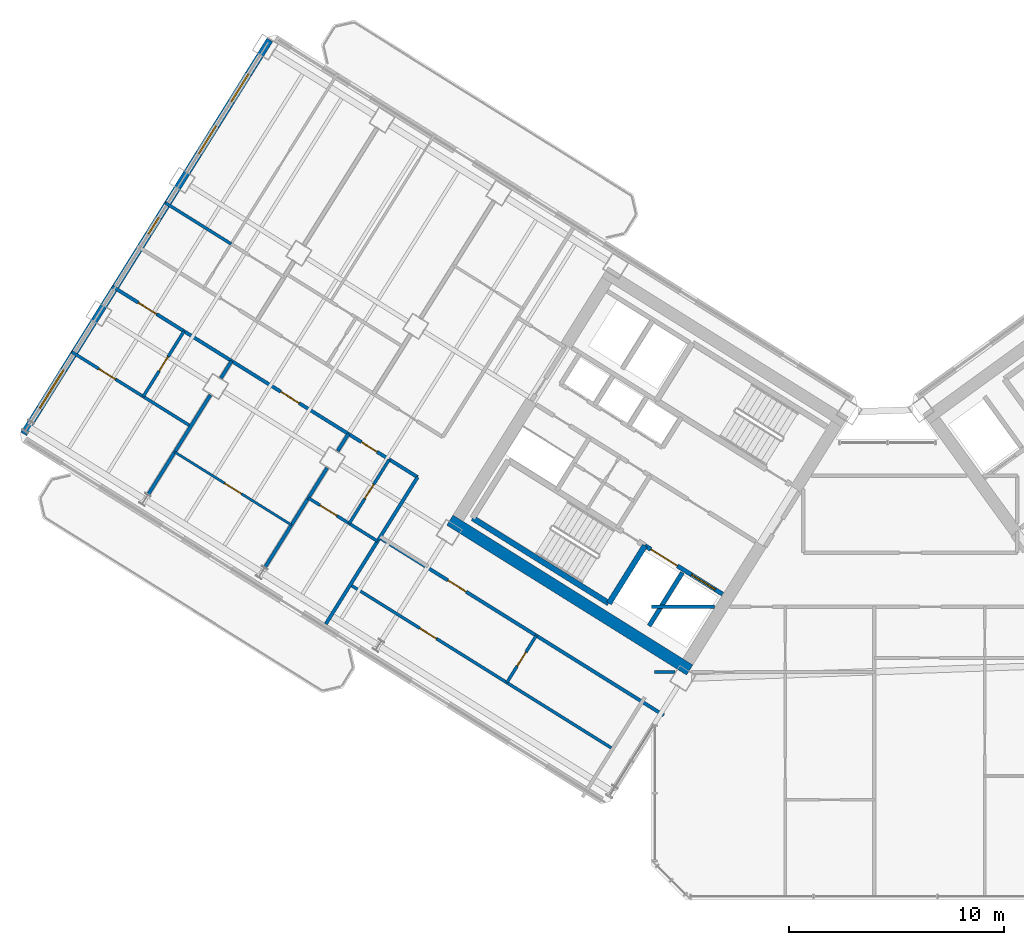
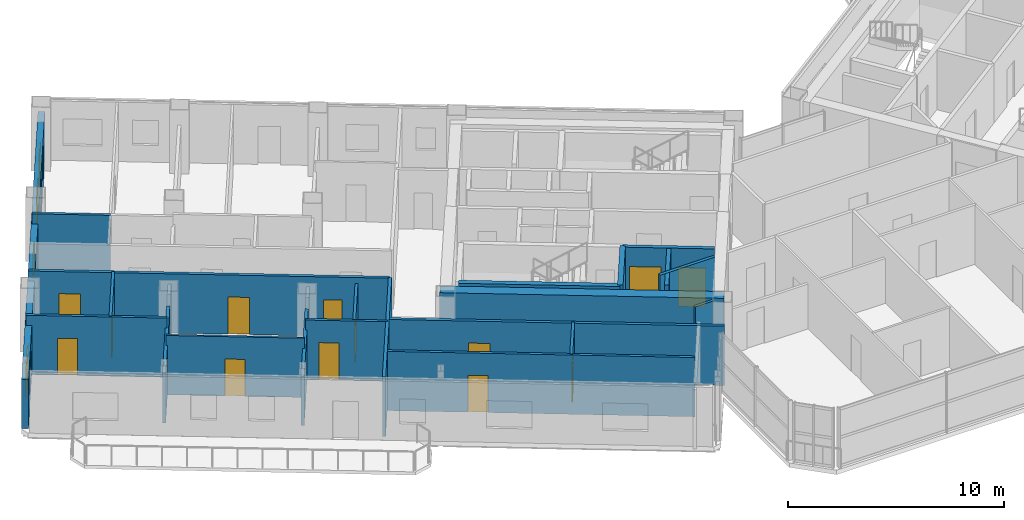
# One storey, part 16 of 29: 23 walls, 13 doors, 4 windows, 17 openings.
"""IFC4 building model written with IfcOpenShell, lengths in metres."""

from ifc_helpers import new_model, si_unit, direction, frame, frame_2d, origin, place, context, subcontext, project, spatial, rectangle, extrude, source, transform, mapped, material, layer, layer_set, type_object, element, fill, save


model = new_model("IFC4")

# Units and contexts
model_context = context("Model", 3, precision=1e-05, world=origin(), true_north=direction((0.0, 1.0)))
body_context = subcontext(model_context, "Body", "Model", "MODEL_VIEW")
ifc_project = project(units=[si_unit("LENGTHUNIT", "METRE"), si_unit("AREAUNIT", "SQUARE_METRE"), si_unit("VOLUMEUNIT", "CUBIC_METRE"), si_unit("PLANEANGLEUNIT", "RADIAN"), si_unit("MASSUNIT", "GRAM", prefix="KILO")], contexts=[model_context])

# Site, building, storey
site_placement = place(None, origin())
site = spatial("IfcSite", under=ifc_project, at=site_placement, CompositionType="ELEMENT")
building_placement = place(site_placement, origin())
building = spatial("IfcBuilding", under=site, at=building_placement, Name="Tlacorven Tower", CompositionType="ELEMENT")
storey_placement = place(building_placement, frame((0.0, 0.0, 158.699951171875)))
storey = spatial("IfcBuildingStorey", under=building, at=storey_placement, Name="L40", CompositionType="ELEMENT", Elevation=158.699951171875)

# Walls
ifc_material_1 = material(Name="Concrete C60/75", Category="concrete")
ifc_layer_1 = layer(ifc_material_1, 0.550048828125)
ifc_layer_set_1 = layer_set([ifc_layer_1], Name="Concrete C60/75")
wall_type_1 = type_object("IfcWallType", Name="WL-COR-550", PredefinedType="SHEAR", material=ifc_layer_set_1)
wall_1_placement = place(storey_placement, frame((33.3662109375, 12.4765625, 0.0), z_axis=(0.0, 0.0, 1.0), x_axis=(-0.848047359947, 0.529920442413, 0.0)))
element("IfcWall", 1, at=wall_1_placement, inside=storey, type_object=wall_type_1, Name="L40 W core shear wall S2", PredefinedType="SHEAR", context=body_context, shape_type="SweptSolid", body=[
    extrude(rectangle(XDim=13.139892578125, YDim=0.550048828125, at=frame_2d((6.56982421875, 0.0))), origin(), (0.0, 0.0, 1.0), 3.35009765625),
])
ifc_material_2 = material(Name="Gypsum plasterboard acoustic partition", Category="gypsum")
ifc_layer_2 = layer(ifc_material_2, 0.159912109375)
ifc_layer_set_2 = layer_set([ifc_layer_2], Name="Gypsum plasterboard acoustic partition")
wall_type_2 = type_object("IfcWallType", Name="WL-DEM-160", PredefinedType="PARTITIONING", material=ifc_layer_set_2)
wall_2_placement = place(storey_placement, frame((20.719482421875, 21.440185546875, 0.0), z_axis=(0.0, 0.0, 1.0), x_axis=(-0.529906246318, -0.848056230514, 0.0)))
element("IfcWall", 2, at=wall_2_placement, inside=storey, type_object=wall_type_2, Name="L40 partition 48", PredefinedType="PARTITIONING", context=body_context, shape_type="SweptSolid", body=[
    extrude(rectangle(XDim=8.0498046875, YDim=0.159912109375, at=frame_2d((4.02490234375, 0.0))), origin(), (0.0, 0.0, 1.0), 3.340087890625),
])

# Wall, openings, doors
wall_3_placement = place(storey_placement, frame((20.719482421875, 21.440185546875, 0.0), z_axis=(0.0, 0.0, 1.0), x_axis=(-0.848048310262, 0.529918921593, 0.0)))
wall_3 = element("IfcWall", 3, at=wall_3_placement, inside=storey, type_object=wall_type_2, Name="L40 Wing W Corridor North Wall", PredefinedType="PARTITIONING", context=body_context, shape_type="SweptSolid", body=[
    extrude(rectangle(XDim=16.72998046875, YDim=0.159912109375, at=frame_2d((8.364990234375, 0.0))), origin(), (0.0, 0.0, 1.0), 3.340087890625),
])
opening_1_placement = place(wall_3_placement, frame((2.219970703125, 0.0, 0.0)))
opening_1 = element("IfcOpeningElement", 4, at=opening_1_placement, cuts=wall_3, Name="Opening D19", PredefinedType="OPENING", context=body_context, shape_type="SweptSolid", body=[
    extrude(rectangle(XDim=0.860107421875, YDim=2.050048828125, at=frame_2d((0.43017578125, 1.02490234375))), frame((0.0, 0.08984375, 0.0), z_axis=(0.0, -1.0, 0.0), x_axis=(1.0, 0.0, 0.0)), (0.0, 0.0, 1.0), 0.179931640625),
])
opening_2_placement = place(wall_3_placement, frame((6.489990234375, 0.0, 0.0)))
opening_2 = element("IfcOpeningElement", 5, at=opening_2_placement, cuts=wall_3, Name="Opening D11", PredefinedType="OPENING", context=body_context, shape_type="SweptSolid", body=[
    extrude(rectangle(XDim=1.0, YDim=2.10009765625, at=frame_2d((0.5, 1.050048828125))), frame((0.0, 0.08984375, 0.0), z_axis=(0.0, -1.0, 0.0), x_axis=(1.0, 0.0, 0.0)), (0.0, 0.0, 1.0), 0.179931640625),
])
opening_3_placement = place(wall_3_placement, frame((14.303955078125, 0.0, 0.0)))
opening_3 = element("IfcOpeningElement", 6, at=opening_3_placement, cuts=wall_3, Name="Opening D11", PredefinedType="OPENING", context=body_context, shape_type="SweptSolid", body=[
    extrude(rectangle(XDim=1.0, YDim=2.10009765625, at=frame_2d((0.5, 1.050048828125))), frame((0.0, 0.08984375, 0.0), z_axis=(0.0, -1.0, 0.0), x_axis=(1.0, 0.0, 0.0)), (0.0, 0.0, 1.0), 0.179931640625),
])
ifc_material_3 = material(Name="Fire-rated steel door assembly", Category="steel")
door_type_1 = type_object("IfcDoorType", Name="DR-RSR-FD60-0860", OperationType="NOTDEFINED", PredefinedType="DOOR", material=ifc_material_3)
shared_shape_1 = source(origin(), body_context, "Body", "SweptSolid", [
    extrude(rectangle(XDim=0.860107421875, YDim=2.050048828125, at=frame_2d((0.43017578125, 1.02490234375))), frame((0.0, 0.02490234375, 0.0), z_axis=(0.0, -1.0, 0.0), x_axis=(1.0, 0.0, 0.0)), (0.0, 0.0, 1.0), 0.050048828125),
])
door_1_placement = place(opening_1_placement, origin())
door_1 = element("IfcDoor", 7, at=door_1_placement, inside=storey, type_object=door_type_1, Name="L40 door 024", OperationType="SINGLE_SWING_LEFT", OverallHeight=2.050048828125, OverallWidth=0.860107421875, PredefinedType="DOOR", context=body_context, shape_type="MappedRepresentation", body=[
    mapped(shared_shape_1, transform((0.0, 0.0, 0.0), scale=1.0)),
])
fill(opening_1, door_1)
door_type_2 = type_object("IfcDoorType", Name="DR-FLT-FD60-1000", OperationType="NOTDEFINED", PredefinedType="DOOR", material=ifc_material_3)
shared_shape_2 = source(origin(), body_context, "Body", "SweptSolid", [
    extrude(rectangle(XDim=1.0, YDim=2.10009765625, at=frame_2d((0.5, 1.050048828125))), frame((0.0, 0.02490234375, 0.0), z_axis=(0.0, -1.0, 0.0), x_axis=(1.0, 0.0, 0.0)), (0.0, 0.0, 1.0), 0.050048828125),
])
door_2_placement = place(opening_2_placement, origin())
door_2 = element("IfcDoor", 8, at=door_2_placement, inside=storey, type_object=door_type_2, Name="L40 door 027", OperationType="SINGLE_SWING_RIGHT", OverallHeight=2.10009765625, OverallWidth=1.0, PredefinedType="DOOR", context=body_context, shape_type="MappedRepresentation", body=[
    mapped(shared_shape_2, transform((0.0, 0.0, 0.0), scale=1.0)),
])
fill(opening_2, door_2)
door_3_placement = place(opening_3_placement, origin())
door_3 = element("IfcDoor", 9, at=door_3_placement, inside=storey, type_object=door_type_2, Name="L40 door 029", OperationType="SINGLE_SWING_RIGHT", OverallHeight=2.10009765625, OverallWidth=1.0, PredefinedType="DOOR", context=body_context, shape_type="MappedRepresentation", body=[
    mapped(shared_shape_2, transform((0.0, 0.0, 0.0), scale=1.0)),
])
fill(opening_3, door_3)

# Walls
wall_4_placement = place(storey_placement, frame((17.505615234375, 23.44873046875, 0.0), z_axis=(0.0, 0.0, 1.0), x_axis=(-0.529835187763, -0.848100627171, 0.0)))
element("IfcWall", 10, at=wall_4_placement, inside=storey, type_object=wall_type_2, Name="L40 WN Demising Wall 1", PredefinedType="PARTITIONING", context=body_context, shape_type="SweptSolid", body=[
    extrude(rectangle(XDim=0.938232421875, YDim=0.159912109375, at=frame_2d((0.46923828125, 0.0))), origin(), (0.0, 0.0, 1.0), 2.775146484375),
])
wall_5_placement = place(storey_placement, frame((16.518798828125, 21.86962890625, 0.0), z_axis=(0.0, 0.0, 1.0), x_axis=(-0.529922447305, -0.848046107144, 0.0)))
element("IfcWall", 11, at=wall_5_placement, inside=storey, type_object=wall_type_2, Name="L40 WN Demising Wall 1", PredefinedType="PARTITIONING", context=body_context, shape_type="SweptSolid", body=[
    extrude(rectangle(XDim=5.451171875, YDim=0.159912109375, at=frame_2d((2.7255859375, 0.0))), origin(), (0.0, 0.0, 1.0), 2.775146484375),
])
wall_6_placement = place(storey_placement, frame((12.077880859375, 26.840087890625, 0.0), z_axis=(0.0, 0.0, 1.0), x_axis=(-0.529952145338, -0.848027548876, 0.0)))
element("IfcWall", 12, at=wall_6_placement, inside=storey, type_object=wall_type_2, Name="L40 WN Demising Wall 2", PredefinedType="PARTITIONING", context=body_context, shape_type="SweptSolid", body=[
    extrude(rectangle(XDim=0.93798828125, YDim=0.159912109375, at=frame_2d((0.468994140625, 0.0))), origin(), (0.0, 0.0, 1.0), 2.775146484375),
])
wall_7_placement = place(storey_placement, frame((11.09130859375, 25.260986328125, 0.0), z_axis=(0.0, 0.0, 1.0), x_axis=(-0.52994257524, -0.848033529377, 0.0)))
element("IfcWall", 13, at=wall_7_placement, inside=storey, type_object=wall_type_2, Name="L40 WN Demising Wall 2", PredefinedType="PARTITIONING", context=body_context, shape_type="SweptSolid", body=[
    extrude(rectangle(XDim=5.450927734375, YDim=0.159912109375, at=frame_2d((2.7255859375, 0.0))), origin(), (0.0, 0.0, 1.0), 2.775146484375),
])

# Wall, opening, door
wall_8_placement = place(storey_placement, frame((32.164306640625, 10.373779296875, 0.0), z_axis=(0.0, 0.0, 1.0), x_axis=(-0.848044107957, 0.529925646633, 0.0)))
wall_8 = element("IfcWall", 14, at=wall_8_placement, inside=storey, type_object=wall_type_2, Name="L40 partition 69", PredefinedType="PARTITIONING", context=body_context, shape_type="SweptSolid", body=[
    extrude(rectangle(XDim=15.570068359375, YDim=0.159912109375, at=frame_2d((7.78515625, 0.0))), origin(), (0.0, 0.0, 1.0), 3.340087890625),
])
opening_4_placement = place(wall_8_placement, frame((10.830078125, 0.0, 0.0)))
opening_4 = element("IfcOpeningElement", 15, at=opening_4_placement, cuts=wall_8, Name="Opening D11", PredefinedType="OPENING", context=body_context, shape_type="SweptSolid", body=[
    extrude(rectangle(XDim=1.0, YDim=2.10009765625, at=frame_2d((0.5, 1.050048828125))), frame((0.0, 0.08984375, 0.0), z_axis=(0.0, -1.0, 0.0), x_axis=(1.0, 0.0, 0.0)), (0.0, 0.0, 1.0), 0.179931640625),
])
door_4_placement = place(opening_4_placement, origin())
door_4 = element("IfcDoor", 16, at=door_4_placement, inside=storey, type_object=door_type_2, Name="L40 door 043", OperationType="SINGLE_SWING_RIGHT", OverallHeight=2.10009765625, OverallWidth=1.0, PredefinedType="DOOR", context=body_context, shape_type="MappedRepresentation", body=[
    mapped(shared_shape_2, transform((0.0, 0.0, 0.0), scale=1.0)),
])
fill(opening_4, door_4)

# Wall
wall_9_placement = place(storey_placement, frame((31.60009765625, 15.419921875, 0.0), z_axis=(0.0, 0.0, 1.0), x_axis=(1.0, 0.0, 0.0)))
element("IfcWall", 17, at=wall_9_placement, inside=storey, type_object=wall_type_2, Name="L40 Knuckle Corridor South Wall", PredefinedType="PARTITIONING", context=body_context, shape_type="SweptSolid", body=[
    extrude(rectangle(XDim=2.925048828125, YDim=0.159912109375, at=frame_2d((1.46240234375, 0.0))), origin(), (0.0, 0.0, 1.0), 3.340087890625),
])

# Wall, openings, windows
ifc_material_4 = material(Name="Precast concrete C45/55", Category="concrete")
ifc_layer_3 = layer(ifc_material_4, 0.320068359375)
ifc_layer_set_3 = layer_set([ifc_layer_3], Name="Precast concrete C45/55")
wall_type_3 = type_object("IfcWallType", Name="WL-EXT-320", PredefinedType="STANDARD", material=ifc_layer_set_3)
wall_10_placement = place(storey_placement, frame((2.41455078125, 23.452392578125, 0.0), z_axis=(0.0, 0.0, 1.0), x_axis=(0.52991049553, 0.848053575387, 0.0)))
wall_10 = element("IfcWall", 18, at=wall_10_placement, inside=storey, type_object=wall_type_3, Name="L40 Masonry-Frame Recessed Facade Wall 2", PredefinedType="STANDARD", context=body_context, shape_type="SweptSolid", body=[
    extrude(rectangle(XDim=21.58740234375, YDim=0.320068359375, at=frame_2d((10.793701171875, 0.0))), origin(), (0.0, 0.0, 1.0), 2.775146484375),
])
opening_5_placement = place(wall_10_placement, frame((1.40625, 0.0, 0.800048828125)))
opening_5 = element("IfcOpeningElement", 19, at=opening_5_placement, cuts=wall_10, Name="Opening WN04", PredefinedType="OPENING", context=body_context, shape_type="SweptSolid", body=[
    extrude(rectangle(XDim=2.10009765625, YDim=1.550048828125, at=frame_2d((1.050048828125, 0.77490234375))), frame((0.0, 0.169921875, 0.0), z_axis=(0.0, -1.0, 0.0), x_axis=(1.0, 0.0, 0.0)), (0.0, 0.0, 1.0), 0.340087890625),
])
opening_6_placement = place(wall_10_placement, frame((10.94873046875, 0.0, 1.0)))
opening_6 = element("IfcOpeningElement", 20, at=opening_6_placement, cuts=wall_10, Name="Opening WN05", PredefinedType="OPENING", context=body_context, shape_type="SweptSolid", body=[
    extrude(rectangle(XDim=0.89990234375, YDim=1.25, at=frame_2d((0.449951171875, 0.625))), frame((0.0, 0.169921875, 0.0), z_axis=(0.0, -1.0, 0.0), x_axis=(1.0, 0.0, 0.0)), (0.0, 0.0, 1.0), 0.340087890625),
])
opening_7_placement = place(wall_10_placement, frame((15.36865234375, 0.0, 0.85009765625)))
opening_7 = element("IfcOpeningElement", 21, at=opening_7_placement, cuts=wall_10, Name="Opening WN02", PredefinedType="OPENING", context=body_context, shape_type="SweptSolid", body=[
    extrude(rectangle(XDim=1.5, YDim=1.5, at=frame_2d((0.75, 0.75))), frame((0.0, 0.169921875, 0.0), z_axis=(0.0, -1.0, 0.0), x_axis=(1.0, 0.0, 0.0)), (0.0, 0.0, 1.0), 0.340087890625),
])
opening_8_placement = place(wall_10_placement, frame((18.21875, 0.0, 0.85009765625)))
opening_8 = element("IfcOpeningElement", 22, at=opening_8_placement, cuts=wall_10, Name="Opening WN02", PredefinedType="OPENING", context=body_context, shape_type="SweptSolid", body=[
    extrude(rectangle(XDim=1.5, YDim=1.5, at=frame_2d((0.75, 0.75))), frame((0.0, 0.169921875, 0.0), z_axis=(0.0, -1.0, 0.0), x_axis=(1.0, 0.0, 0.0)), (0.0, 0.0, 1.0), 0.340087890625),
])
ifc_material_5 = material(Name="Dark solar low-E double glazing in anodised aluminium frame", Category="aluminium")
window_type_1 = type_object("IfcWindowType", Name="WN-APT-2100X1750", PartitioningType="SINGLE_PANEL", PredefinedType="WINDOW", material=ifc_material_5)
shared_shape_3 = source(origin(), body_context, "Body", "SweptSolid", [
    extrude(rectangle(XDim=2.10009765625, YDim=1.550048828125, at=frame_2d((1.050048828125, 0.77490234375))), frame((0.0, 0.030029296875, 0.0), z_axis=(0.0, -1.0, 0.0), x_axis=(1.0, 0.0, 0.0)), (0.0, 0.0, 1.0), 0.06005859375),
])
window_1_placement = place(opening_5_placement, origin())
window_1 = element("IfcWindow", 23, at=window_1_placement, inside=storey, type_object=window_type_1, Name="L40 Recessed Masonry-Frame Window L40-02.1", OverallHeight=1.550048828125, OverallWidth=2.10009765625, PartitioningType="SINGLE_PANEL", PredefinedType="WINDOW", context=body_context, shape_type="MappedRepresentation", body=[
    mapped(shared_shape_3, transform((0.0, 0.0, 0.0), scale=1.0)),
])
fill(opening_5, window_1)
window_type_2 = type_object("IfcWindowType", Name="WN-APT-1500X1650", PartitioningType="SINGLE_PANEL", PredefinedType="WINDOW", material=ifc_material_5)
shared_shape_4 = source(origin(), body_context, "Body", "SweptSolid", [
    extrude(rectangle(XDim=1.5, YDim=1.5, at=frame_2d((0.75, 0.75))), frame((0.0, 0.030029296875, 0.0), z_axis=(0.0, -1.0, 0.0), x_axis=(1.0, 0.0, 0.0)), (0.0, 0.0, 1.0), 0.06005859375),
])
window_2_placement = place(opening_7_placement, origin())
window_2 = element("IfcWindow", 24, at=window_2_placement, inside=storey, type_object=window_type_2, Name="L40 Recessed Masonry-Frame Window L40-02.3", OverallHeight=1.5, OverallWidth=1.5, PartitioningType="SINGLE_PANEL", PredefinedType="WINDOW", context=body_context, shape_type="MappedRepresentation", body=[
    mapped(shared_shape_4, transform((0.0, 0.0, 0.0), scale=1.0)),
])
fill(opening_7, window_2)
window_3_placement = place(opening_8_placement, origin())
window_3 = element("IfcWindow", 25, at=window_3_placement, inside=storey, type_object=window_type_2, Name="L40 Recessed Masonry-Frame Window L40-02.4", OverallHeight=1.5, OverallWidth=1.5, PartitioningType="SINGLE_PANEL", PredefinedType="WINDOW", context=body_context, shape_type="MappedRepresentation", body=[
    mapped(shared_shape_4, transform((0.0, 0.0, 0.0), scale=1.0)),
])
fill(opening_8, window_3)
window_type_3 = type_object("IfcWindowType", Name="WN-APT-0900X1350", PartitioningType="SINGLE_PANEL", PredefinedType="WINDOW", material=ifc_material_5)
shared_shape_5 = source(origin(), body_context, "Body", "SweptSolid", [
    extrude(rectangle(XDim=0.89990234375, YDim=1.25, at=frame_2d((0.449951171875, 0.625))), frame((0.0, 0.030029296875, 0.0), z_axis=(0.0, -1.0, 0.0), x_axis=(1.0, 0.0, 0.0)), (0.0, 0.0, 1.0), 0.06005859375),
])
window_4_placement = place(opening_6_placement, origin())
window_4 = element("IfcWindow", 26, at=window_4_placement, inside=storey, type_object=window_type_3, Name="L40 Recessed Masonry-Frame Window L40-02.2", OverallHeight=1.25, OverallWidth=0.89990234375, PartitioningType="SINGLE_PANEL", PredefinedType="WINDOW", context=body_context, shape_type="MappedRepresentation", body=[
    mapped(shared_shape_5, transform((0.0, 0.0, 0.0), scale=1.0)),
])
fill(opening_6, window_4)

# Wall, opening, door
ifc_material_6 = material(Name="Gypsum plasterboard partition", Category="gypsum")
ifc_layer_4 = layer(ifc_material_6, 0.110107421875)
ifc_layer_set_4 = layer_set([ifc_layer_4], Name="Gypsum plasterboard partition")
wall_type_4 = type_object("IfcWallType", Name="WL-INT-110", PredefinedType="PARTITIONING", material=ifc_layer_set_4)
wall_11_placement = place(storey_placement, frame((14.860107421875, 19.215087890625, 0.0), z_axis=(0.0, 0.0, 1.0), x_axis=(-0.848039019877, 0.529933789039, 0.0)))
wall_11 = element("IfcWall", 27, at=wall_11_placement, inside=storey, type_object=wall_type_4, Name="L40 partition 56", PredefinedType="PARTITIONING", context=body_context, shape_type="SweptSolid", body=[
    extrude(rectangle(XDim=6.400146484375, YDim=0.110107421875, at=frame_2d((3.2001953125, 0.0))), origin(), (0.0, 0.0, 1.0), 3.340087890625),
])
opening_9_placement = place(wall_11_placement, frame((2.739990234375, 0.0, 0.0)))
opening_9 = element("IfcOpeningElement", 28, at=opening_9_placement, cuts=wall_11, Name="Opening D12", PredefinedType="OPENING", context=body_context, shape_type="SweptSolid", body=[
    extrude(rectangle(XDim=0.919921875, YDim=2.080078125, at=frame_2d((0.4599609375, 1.0400390625))), frame((0.0, 0.06494140625, 0.0), z_axis=(0.0, -1.0, 0.0), x_axis=(1.0, 0.0, 0.0)), (0.0, 0.0, 1.0), 0.130126953125),
])
ifc_material_7 = material(Name="Powder-coated aluminium and timber door", Category="wood")
door_type_3 = type_object("IfcDoorType", Name="DR-INT-ROOM-0920", OperationType="NOTDEFINED", PredefinedType="DOOR", material=ifc_material_7)
shared_shape_6 = source(origin(), body_context, "Body", "SweptSolid", [
    extrude(rectangle(XDim=0.919921875, YDim=2.080078125, at=frame_2d((0.4599609375, 1.0400390625))), frame((0.0, 0.02490234375, 0.0), z_axis=(0.0, -1.0, 0.0), x_axis=(1.0, 0.0, 0.0)), (0.0, 0.0, 1.0), 0.050048828125),
])
door_5_placement = place(opening_9_placement, origin())
door_5 = element("IfcDoor", 29, at=door_5_placement, inside=storey, type_object=door_type_3, Name="L40 door 028", OperationType="SINGLE_SWING_LEFT", OverallHeight=2.080078125, OverallWidth=0.919921875, PredefinedType="DOOR", context=body_context, shape_type="MappedRepresentation", body=[
    mapped(shared_shape_6, transform((0.0, 0.0, 0.0), scale=1.0)),
])
fill(opening_9, door_5)

ifc_material_8 = material(Name="Moisture-resistant gypsum plumbing wall", Category="gypsum")
ifc_layer_5 = layer(ifc_material_8, 0.139892578125)
ifc_layer_set_5 = layer_set([ifc_layer_5], Name="Moisture-resistant gypsum plumbing wall")
wall_type_5 = type_object("IfcWallType", Name="WL-PLM-140", PredefinedType="PLUMBINGWALL", material=ifc_layer_set_5)
wall_12_placement = place(storey_placement, frame((18.859619140625, 18.463623046875, 0.0), z_axis=(0.0, 0.0, 1.0), x_axis=(-0.848059820872, 0.529900500304, 0.0)))
wall_12 = element("IfcWall", 30, at=wall_12_placement, inside=storey, type_object=wall_type_5, Name="L40 partition 53", PredefinedType="PLUMBINGWALL", context=body_context, shape_type="SweptSolid", body=[
    extrude(rectangle(XDim=3.7900390625, YDim=0.139892578125, at=frame_2d((1.89501953125, 0.0))), origin(), (0.0, 0.0, 1.0), 3.340087890625),
])
opening_10_placement = place(wall_12_placement, frame((2.22998046875, 0.0, 0.0)))
opening_10 = element("IfcOpeningElement", 31, at=opening_10_placement, cuts=wall_12, Name="Opening D12", PredefinedType="OPENING", context=body_context, shape_type="SweptSolid", body=[
    extrude(rectangle(XDim=0.919921875, YDim=2.080078125, at=frame_2d((0.4599609375, 1.0400390625))), frame((0.0, 0.080078125, 0.0), z_axis=(0.0, -1.0, 0.0), x_axis=(1.0, 0.0, 0.0)), (0.0, 0.0, 1.0), 0.159912109375),
])
door_6_placement = place(opening_10_placement, origin())
door_6 = element("IfcDoor", 32, at=door_6_placement, inside=storey, type_object=door_type_3, Name="L40 door 025", OperationType="SINGLE_SWING_RIGHT", OverallHeight=2.080078125, OverallWidth=0.919921875, PredefinedType="DOOR", context=body_context, shape_type="MappedRepresentation", body=[
    mapped(shared_shape_6, transform((0.0, 0.0, 0.0), scale=1.0)),
])
fill(opening_10, door_6)

wall_13_placement = place(storey_placement, frame((19.405029296875, 22.261474609375, 0.0), z_axis=(0.0, 0.0, 1.0), x_axis=(-0.529898896701, -0.848060822863, 0.0)))
wall_13 = element("IfcWall", 33, at=wall_13_placement, inside=storey, type_object=wall_type_5, Name="L40 partition 54", PredefinedType="PLUMBINGWALL", context=body_context, shape_type="SweptSolid", body=[
    extrude(rectangle(XDim=3.509765625, YDim=0.139892578125, at=frame_2d((1.7548828125, 0.0))), origin(), (0.0, 0.0, 1.0), 2.9951171875),
])
opening_11_placement = place(wall_13_placement, frame((1.364990234375, 0.0, 0.0)))
opening_11 = element("IfcOpeningElement", 34, at=opening_11_placement, cuts=wall_13, Name="Opening D22", PredefinedType="OPENING", context=body_context, shape_type="SweptSolid", body=[
    extrude(rectangle(XDim=0.780029296875, YDim=2.050048828125, at=frame_2d((0.39013671875, 1.02490234375))), frame((0.0, 0.080078125, 0.0), z_axis=(0.0, -1.0, 0.0), x_axis=(1.0, 0.0, 0.0)), (0.0, 0.0, 1.0), 0.159912109375),
])
door_type_4 = type_object("IfcDoorType", Name="DR-INT-WET-0780", OperationType="NOTDEFINED", PredefinedType="DOOR", material=ifc_material_7)
shared_shape_7 = source(origin(), body_context, "Body", "SweptSolid", [
    extrude(rectangle(XDim=0.780029296875, YDim=2.050048828125, at=frame_2d((0.39013671875, 1.02490234375))), frame((0.0, 0.02490234375, 0.0), z_axis=(0.0, -1.0, 0.0), x_axis=(1.0, 0.0, 0.0)), (0.0, 0.0, 1.0), 0.050048828125),
])
door_7_placement = place(opening_11_placement, origin())
door_7 = element("IfcDoor", 35, at=door_7_placement, inside=storey, type_object=door_type_4, Name="L40 door 026", OperationType="SINGLE_SWING_LEFT", OverallHeight=2.050048828125, OverallWidth=0.780029296875, PredefinedType="DOOR", context=body_context, shape_type="MappedRepresentation", body=[
    mapped(shared_shape_7, transform((0.0, 0.0, 0.0), scale=1.0)),
])
fill(opening_11, door_7)

wall_14_placement = place(storey_placement, frame((10.180908203125, 23.80419921875, 0.0), z_axis=(0.0, 0.0, 1.0), x_axis=(-0.848065614912, 0.529891227332, 0.0)))
wall_14 = element("IfcWall", 36, at=wall_14_placement, inside=storey, type_object=wall_type_5, Name="L40 partition 57", PredefinedType="PLUMBINGWALL", context=body_context, shape_type="SweptSolid", body=[
    extrude(rectangle(XDim=6.519775390625, YDim=0.139892578125, at=frame_2d((3.259765625, 0.0))), origin(), (0.0, 0.0, 1.0), 3.340087890625),
])
opening_12_placement = place(wall_14_placement, frame((4.1240234375, 0.0, 0.0)))
opening_12 = element("IfcOpeningElement", 37, at=opening_12_placement, cuts=wall_14, Name="Opening D12", PredefinedType="OPENING", context=body_context, shape_type="SweptSolid", body=[
    extrude(rectangle(XDim=0.919921875, YDim=2.080078125, at=frame_2d((0.4599609375, 1.0400390625))), frame((0.0, 0.080078125, 0.0), z_axis=(0.0, -1.0, 0.0), x_axis=(1.0, 0.0, 0.0)), (0.0, 0.0, 1.0), 0.159912109375),
])
door_8_placement = place(opening_12_placement, origin())
door_8 = element("IfcDoor", 38, at=door_8_placement, inside=storey, type_object=door_type_3, Name="L40 door 030", OperationType="SINGLE_SWING_LEFT", OverallHeight=2.080078125, OverallWidth=0.919921875, PredefinedType="DOOR", context=body_context, shape_type="MappedRepresentation", body=[
    mapped(shared_shape_6, transform((0.0, 0.0, 0.0), scale=1.0)),
])
fill(opening_12, door_8)

wall_15_placement = place(storey_placement, frame((9.8662109375, 28.22216796875, 0.0), z_axis=(0.0, 0.0, 1.0), x_axis=(-0.529876336437, -0.84807491891, 0.0)))
wall_15 = element("IfcWall", 39, at=wall_15_placement, inside=storey, type_object=wall_type_5, Name="L40 partition 58", PredefinedType="PLUMBINGWALL", context=body_context, shape_type="SweptSolid", body=[
    extrude(rectangle(XDim=3.580078125, YDim=0.139892578125, at=frame_2d((1.7900390625, 0.0))), origin(), (0.0, 0.0, 1.0), 3.340087890625),
])
opening_13_placement = place(wall_15_placement, frame((1.39990234375, 0.0, 0.0)))
opening_13 = element("IfcOpeningElement", 40, at=opening_13_placement, cuts=wall_15, Name="Opening D22", PredefinedType="OPENING", context=body_context, shape_type="SweptSolid", body=[
    extrude(rectangle(XDim=0.780029296875, YDim=2.050048828125, at=frame_2d((0.39013671875, 1.02490234375))), frame((0.0, 0.080078125, 0.0), z_axis=(0.0, -1.0, 0.0), x_axis=(1.0, 0.0, 0.0)), (0.0, 0.0, 1.0), 0.159912109375),
])
door_9_placement = place(opening_13_placement, origin())
door_9 = element("IfcDoor", 41, at=door_9_placement, inside=storey, type_object=door_type_4, Name="L40 door 031", OperationType="SINGLE_SWING_RIGHT", OverallHeight=2.050048828125, OverallWidth=0.780029296875, PredefinedType="DOOR", context=body_context, shape_type="MappedRepresentation", body=[
    mapped(shared_shape_7, transform((0.0, 0.0, 0.0), scale=1.0)),
])
fill(opening_13, door_9)

# Wall
wall_16_placement = place(storey_placement, frame((12.056396484375, 32.27783203125, 0.0), z_axis=(0.0, 0.0, 1.0), x_axis=(-0.848039976902, 0.529932257535, 0.0)))
element("IfcWall", 42, at=wall_16_placement, inside=storey, type_object=wall_type_5, Name="L40 partition 68", PredefinedType="PLUMBINGWALL", context=body_context, shape_type="SweptSolid", body=[
    extrude(rectangle(XDim=3.6201171875, YDim=0.139892578125, at=frame_2d((1.81005859375, 0.0))), origin(), (0.0, 0.0, 1.0), 3.340087890625),
])

# Wall, opening, door
wall_17_placement = place(storey_placement, frame((29.72021484375, 8.85888671875, 0.0), z_axis=(0.0, 0.0, 1.0), x_axis=(-0.848049134363, 0.529917602752, 0.0)))
wall_17 = element("IfcWall", 43, at=wall_17_placement, inside=storey, type_object=wall_type_5, Name="L40 partition 71", PredefinedType="PLUMBINGWALL", context=body_context, shape_type="SweptSolid", body=[
    extrude(rectangle(XDim=14.300048828125, YDim=0.139892578125, at=frame_2d((7.14990234375, 0.0))), origin(), (0.0, 0.0, 1.0), 3.340087890625),
])
opening_14_placement = place(wall_17_placement, frame((9.570068359375, 0.0, 0.0)))
opening_14 = element("IfcOpeningElement", 44, at=opening_14_placement, cuts=wall_17, Name="Opening D12", PredefinedType="OPENING", context=body_context, shape_type="SweptSolid", body=[
    extrude(rectangle(XDim=0.919921875, YDim=2.080078125, at=frame_2d((0.4599609375, 1.0400390625))), frame((0.0, 0.080078125, 0.0), z_axis=(0.0, -1.0, 0.0), x_axis=(1.0, 0.0, 0.0)), (0.0, 0.0, 1.0), 0.159912109375),
])
door_10_placement = place(opening_14_placement, origin())
door_10 = element("IfcDoor", 45, at=door_10_placement, inside=storey, type_object=door_type_3, Name="L40 door 044", OperationType="SINGLE_SWING_LEFT", OverallHeight=2.080078125, OverallWidth=0.919921875, PredefinedType="DOOR", context=body_context, shape_type="MappedRepresentation", body=[
    mapped(shared_shape_6, transform((0.0, 0.0, 0.0), scale=1.0)),
])
fill(opening_14, door_10)

wall_18_placement = place(storey_placement, frame((26.236572265625, 14.077880859375, 0.0), z_axis=(0.0, 0.0, 1.0), x_axis=(-0.52995640672, -0.848024885824, 0.0)))
wall_18 = element("IfcWall", 46, at=wall_18_placement, inside=storey, type_object=wall_type_5, Name="L40 partition 72", PredefinedType="PLUMBINGWALL", context=body_context, shape_type="SweptSolid", body=[
    extrude(rectangle(XDim=2.579833984375, YDim=0.139892578125, at=frame_2d((1.2900390625, 0.0))), origin(), (0.0, 0.0, 1.0), 3.340087890625),
])
opening_15_placement = place(wall_18_placement, frame((0.89990234375, 0.0, 0.0)))
opening_15 = element("IfcOpeningElement", 47, at=opening_15_placement, cuts=wall_18, Name="Opening D22", PredefinedType="OPENING", context=body_context, shape_type="SweptSolid", body=[
    extrude(rectangle(XDim=0.780029296875, YDim=2.050048828125, at=frame_2d((0.39013671875, 1.02490234375))), frame((0.0, 0.080078125, 0.0), z_axis=(0.0, -1.0, 0.0), x_axis=(1.0, 0.0, 0.0)), (0.0, 0.0, 1.0), 0.159912109375),
])
door_11_placement = place(opening_15_placement, origin())
door_11 = element("IfcDoor", 48, at=door_11_placement, inside=storey, type_object=door_type_4, Name="L40 door 045", OperationType="SINGLE_SWING_RIGHT", OverallHeight=2.050048828125, OverallWidth=0.780029296875, PredefinedType="DOOR", context=body_context, shape_type="MappedRepresentation", body=[
    mapped(shared_shape_7, transform((0.0, 0.0, 0.0), scale=1.0)),
])
fill(opening_15, door_11)

# Wall
wall_19_placement = place(storey_placement, frame((31.739990234375, 12.389892578125, 0.0), z_axis=(0.0, 0.0, 1.0), x_axis=(1.0, 0.0, 0.0)))
element("IfcWall", 49, at=wall_19_placement, inside=storey, type_object=wall_type_5, Name="L40 partition 82", PredefinedType="PLUMBINGWALL", context=body_context, shape_type="SweptSolid", body=[
    extrude(rectangle(XDim=0.95068359375, YDim=0.139892578125, at=frame_2d((0.475341796875, 0.0))), origin(), (0.0, 0.0, 1.0), 3.340087890625),
])

# Wall, openings, doors
ifc_material_9 = material(Name="Concrete C40/50", Category="concrete")
ifc_layer_6 = layer(ifc_material_9, 0.199951171875)
ifc_layer_set_6 = layer_set([ifc_layer_6], Name="Concrete C40/50")
wall_type_6 = type_object("IfcWallType", Name="WL-SHF-200", PredefinedType="STANDARD", material=ifc_layer_set_6)
wall_20_placement = place(storey_placement, frame((34.890625, 16.0048828125, 0.0), z_axis=(0.0, 0.0, 1.0), x_axis=(-0.848062873452, 0.529895614884, 0.0)))
wall_20 = element("IfcWall", 50, at=wall_20_placement, inside=storey, type_object=wall_type_6, Name="L40 Core W Firefighting Lift Shaft Front Wall", PredefinedType="STANDARD", context=body_context, shape_type="SweptSolid", body=[
    extrude(rectangle(XDim=4.248046875, YDim=0.199951171875, at=frame_2d((2.1240234375, 0.0))), origin(), (0.0, 0.0, 1.0), 3.340087890625),
])
opening_16_placement = place(wall_20_placement, frame((0.39794921875, 0.0, 0.0)))
opening_16 = element("IfcOpeningElement", 51, at=opening_16_placement, cuts=wall_20, Name="Opening LD03", PredefinedType="OPENING", context=body_context, shape_type="SweptSolid", body=[
    extrude(rectangle(XDim=1.300048828125, YDim=2.199951171875, at=frame_2d((0.64990234375, 1.10009765625))), frame((0.0, 0.10986328125, 0.0), z_axis=(0.0, -1.0, 0.0), x_axis=(1.0, 0.0, 0.0)), (0.0, 0.0, 1.0), 0.219970703125),
])
opening_17_placement = place(wall_20_placement, frame((2.472900390625, 0.0, 0.0)))
opening_17 = element("IfcOpeningElement", 52, at=opening_17_placement, cuts=wall_20, Name="Opening LD04", PredefinedType="OPENING", context=body_context, shape_type="SweptSolid", body=[
    extrude(rectangle(XDim=1.449951171875, YDim=2.25, at=frame_2d((0.72509765625, 1.125))), frame((0.0, 0.10986328125, 0.0), z_axis=(0.0, -1.0, 0.0), x_axis=(1.0, 0.0, 0.0)), (0.0, 0.0, 1.0), 0.219970703125),
])
door_type_5 = type_object("IfcDoorType", Name="DR-LFT-SLID-1300", OperationType="DOUBLE_DOOR_SLIDING", PredefinedType="DOOR", material=ifc_material_3)
shared_shape_8 = source(origin(), body_context, "Body", "SweptSolid", [
    extrude(rectangle(XDim=1.300048828125, YDim=2.199951171875, at=frame_2d((0.64990234375, 1.10009765625))), frame((0.0, 0.02490234375, 0.0), z_axis=(0.0, -1.0, 0.0), x_axis=(1.0, 0.0, 0.0)), (0.0, 0.0, 1.0), 0.050048828125),
])
door_12_placement = place(opening_16_placement, origin())
door_12 = element("IfcDoor", 53, at=door_12_placement, inside=storey, type_object=door_type_5, Name="L40 Lift FFL-W1 Sliding Landing Door", OperationType="DOUBLE_DOOR_SLIDING", OverallHeight=2.199951171875, OverallWidth=1.300048828125, PredefinedType="DOOR", context=body_context, shape_type="MappedRepresentation", body=[
    mapped(shared_shape_8, transform((0.0, 0.0, 0.0), scale=1.0)),
])
fill(opening_16, door_12)
door_type_6 = type_object("IfcDoorType", Name="DR-LFT-SLID-1450", OperationType="DOUBLE_DOOR_SLIDING", PredefinedType="DOOR", material=ifc_material_3)
shared_shape_9 = source(origin(), body_context, "Body", "SweptSolid", [
    extrude(rectangle(XDim=1.449951171875, YDim=2.25, at=frame_2d((0.72509765625, 1.125))), frame((0.0, 0.02490234375, 0.0), z_axis=(0.0, -1.0, 0.0), x_axis=(1.0, 0.0, 0.0)), (0.0, 0.0, 1.0), 0.050048828125),
])
door_13_placement = place(opening_17_placement, origin())
door_13 = element("IfcDoor", 54, at=door_13_placement, inside=storey, type_object=door_type_6, Name="L40 Lift SVL-W1 Sliding Landing Door", OperationType="DOUBLE_DOOR_SLIDING", OverallHeight=2.25, OverallWidth=1.449951171875, PredefinedType="DOOR", context=body_context, shape_type="MappedRepresentation", body=[
    mapped(shared_shape_9, transform((0.0, 0.0, 0.0), scale=1.0)),
])
fill(opening_17, door_13)

# Walls
wall_21_placement = place(storey_placement, frame((33.02880859375, 17.003173828125, 0.0), z_axis=(0.0, 0.0, 1.0), x_axis=(-0.529916267533, -0.848049968695, 0.0)))
element("IfcWall", 55, at=wall_21_placement, inside=storey, type_object=wall_type_6, Name="L40 partition 14", PredefinedType="STANDARD", context=body_context, shape_type="SweptSolid", body=[
    extrude(rectangle(XDim=2.919921875, YDim=0.199951171875, at=frame_2d((1.4599609375, 0.0))), origin(), (0.0, 0.0, 1.0), 3.340087890625),
])
ifc_material_10 = material(Name="Concrete C50/60", Category="concrete")
ifc_layer_7 = layer(ifc_material_10, 0.260009765625)
ifc_layer_set_7 = layer_set([ifc_layer_7], Name="Concrete C50/60")
wall_type_7 = type_object("IfcWallType", Name="WL-STW-260", PredefinedType="SHEAR", material=ifc_layer_set_7)
wall_22_placement = place(storey_placement, frame((29.60498046875, 15.581298828125, 0.0), z_axis=(0.0, 0.0, 1.0), x_axis=(-0.848036911448, 0.529937163087, 0.0)))
element("IfcWall", 56, at=wall_22_placement, inside=storey, type_object=wall_type_7, Name="L40 Stair W1 Far Shear Wall", PredefinedType="SHEAR", context=body_context, shape_type="SweptSolid", body=[
    extrude(rectangle(XDim=7.4599609375, YDim=0.260009765625, at=frame_2d((3.72998046875, 0.0))), origin(), (0.0, 0.0, 1.0), 3.35009765625),
])
wall_23_placement = place(storey_placement, frame((31.2880859375, 18.255859375, 0.0), z_axis=(0.0, 0.0, 1.0), x_axis=(-0.529943379326, -0.848033026897, 0.0)))
element("IfcWall", 57, at=wall_23_placement, inside=storey, type_object=wall_type_7, Name="L40 Stair W1 West Shear Wall", PredefinedType="SHEAR", context=body_context, shape_type="SweptSolid", body=[
    extrude(rectangle(XDim=3.159912109375, YDim=0.260009765625, at=frame_2d((1.580078125, 0.0))), origin(), (0.0, 0.0, 1.0), 3.35009765625),
])

save(model, "model.ifc")
